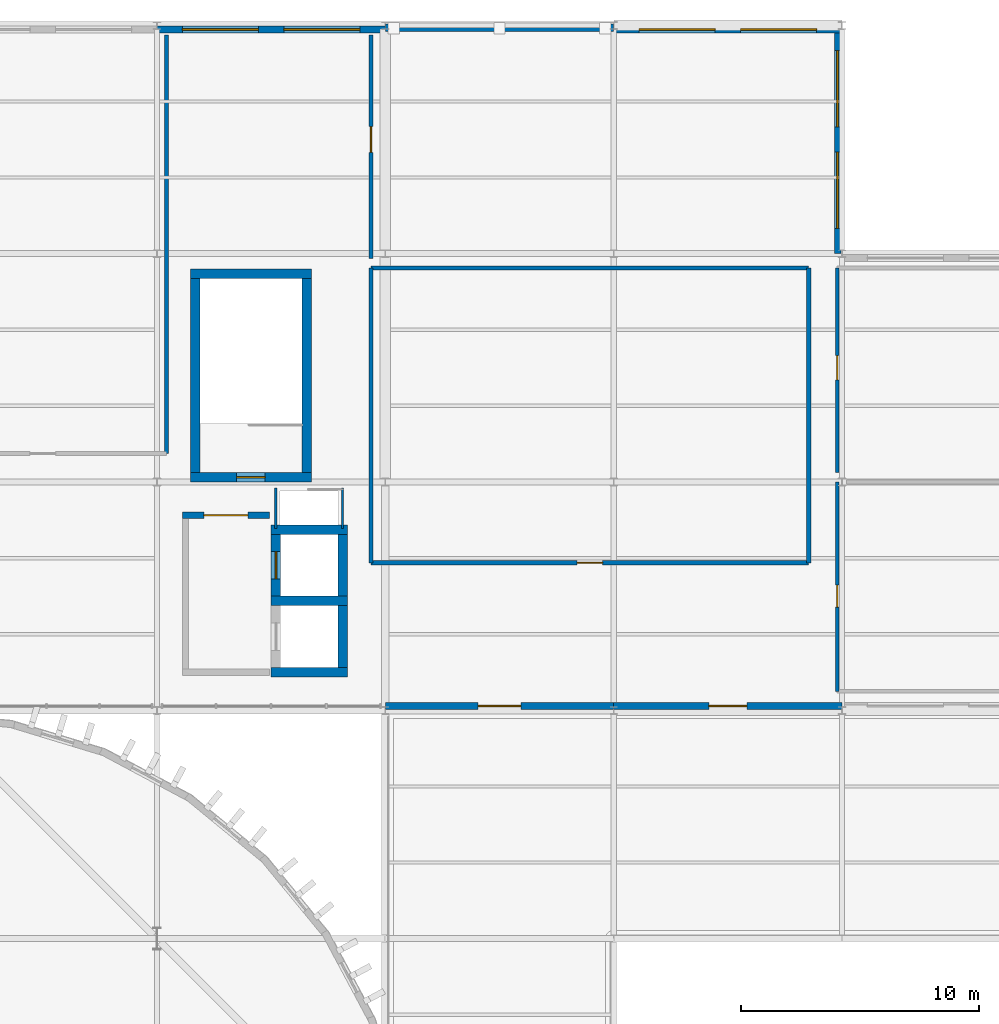
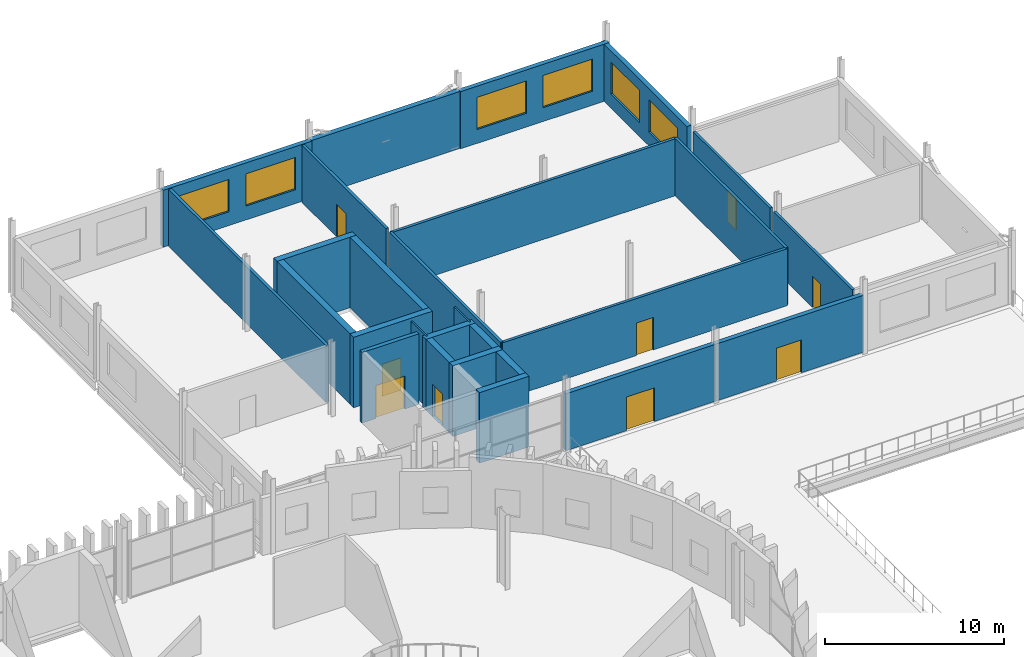
# One storey, part 36 of 45: 27 walls, 9 doors, 6 windows, 15 openings.
"""IFC4 building model written with IfcOpenShell, lengths in metres."""

from ifc_helpers import new_model, si_unit, direction, frame, frame_2d, origin, place, context, subcontext, project, spatial, rectangle, extrude, material, layer, layer_set, type_object, element, fill, save


model = new_model("IFC4")

# Units and contexts
model_context = context("Model", 3, precision=1e-05, world=origin(), true_north=direction((0.0, 1.0)))
body_context = subcontext(model_context, "Body", "Model", "MODEL_VIEW")
ifc_project = project(units=[si_unit("LENGTHUNIT", "METRE"), si_unit("AREAUNIT", "SQUARE_METRE"), si_unit("VOLUMEUNIT", "CUBIC_METRE"), si_unit("PLANEANGLEUNIT", "RADIAN"), si_unit("MASSUNIT", "GRAM", prefix="KILO")], contexts=[model_context])

# Site, building, storey
site_placement = place(None, origin())
site = spatial("IfcSite", under=ifc_project, at=site_placement, CompositionType="ELEMENT")
building_placement = place(site_placement, origin())
building = spatial("IfcBuilding", under=site, at=building_placement, Name="Caelomonte Colonnade Arena", CompositionType="ELEMENT")
storey_placement = place(building_placement, frame((0.0, 0.0, 23.10009765625)))
storey = spatial("IfcBuildingStorey", under=building, at=storey_placement, Name="L05", CompositionType="ELEMENT", Elevation=23.10009765625)

# Wall, openings, windows
ifc_material_1 = material(Name="Precast concrete C40/50", Category="concrete")
ifc_layer_1 = layer(ifc_material_1, 0.2900390625)
ifc_layer_set_1 = layer_set([ifc_layer_1], Name="Precast concrete C40/50")
wall_type_1 = type_object("IfcWallType", Name="ENV-WL-EXT29", PredefinedType="SOLIDWALL", material=ifc_layer_set_1)
wall_1_placement = place(storey_placement, frame((182.39990234375, 143.820068359375, 0.0), z_axis=(0.0, 0.0, 1.0), x_axis=(-1.0, 0.0, 0.0)))
wall_1 = element("IfcWall", 1, at=wall_1_placement, inside=storey, type_object=wall_type_1, Name="L05 exterior wall EW-L05-0332", PredefinedType="SOLIDWALL", context=body_context, shape_type="SweptSolid", body=[
    extrude(rectangle(XDim=9.599853515625, YDim=0.2900390625, at=frame_2d((4.7998046875, 0.0))), origin(), (0.0, 0.0, 1.0), 3.905517578125),
])
opening_1_placement = place(wall_1_placement, frame((4.2666015625, 0.0, 0.949951171875), z_axis=(0.0, 0.0, 1.0), x_axis=(-1.0, 0.0, 0.0)))
opening_1 = element("IfcOpeningElement", 2, at=opening_1_placement, cuts=wall_1, Name="Opening WN-15", PredefinedType="OPENING", context=body_context, shape_type="SweptSolid", body=[
    extrude(rectangle(XDim=3.199951171875, YDim=2.199951171875, at=frame_2d((1.60009765625, 1.10009765625))), frame((0.0, 0.155029296875, 0.0), z_axis=(0.0, -1.0, 0.0), x_axis=(1.0, 0.0, 0.0)), (0.0, 0.0, 1.0), 0.31005859375),
])
opening_2_placement = place(wall_1_placement, frame((8.533203125, 0.0, 0.949951171875), z_axis=(0.0, 0.0, 1.0), x_axis=(-1.0, 0.0, 0.0)))
opening_2 = element("IfcOpeningElement", 3, at=opening_2_placement, cuts=wall_1, Name="Opening WN-15", PredefinedType="OPENING", context=body_context, shape_type="SweptSolid", body=[
    extrude(rectangle(XDim=3.199951171875, YDim=2.199951171875, at=frame_2d((1.60009765625, 1.10009765625))), frame((0.0, 0.155029296875, 0.0), z_axis=(0.0, -1.0, 0.0), x_axis=(1.0, 0.0, 0.0)), (0.0, 0.0, 1.0), 0.31005859375),
])
ifc_material_2 = material(Name="Solar-control bronze low-E double glazing", Category="glass")
window_type = type_object("IfcWindowType", Name="ENV-WN-MED", PartitioningType="TRIPLE_PANEL_VERTICAL", PredefinedType="WINDOW", material=ifc_material_2)
window_1_placement = place(opening_1_placement, origin())
window_1 = element("IfcWindow", 4, at=window_1_placement, inside=storey, type_object=window_type, Name="L05 facade window 287", OverallHeight=2.199951171875, OverallWidth=3.199951171875, PartitioningType="SINGLE_PANEL", PredefinedType="WINDOW", context=body_context, shape_type="SweptSolid", body=[
    extrude(rectangle(XDim=3.199951171875, YDim=2.199951171875, at=frame_2d((1.60009765625, 1.10009765625))), frame((0.0, 0.030029296875, 0.0), z_axis=(0.0, -1.0, 0.0), x_axis=(1.0, 0.0, 0.0)), (0.0, 0.0, 1.0), 0.06005859375),
])
fill(opening_1, window_1)
window_2_placement = place(opening_2_placement, origin())
window_2 = element("IfcWindow", 5, at=window_2_placement, inside=storey, type_object=window_type, Name="L05 facade window 288", OverallHeight=2.199951171875, OverallWidth=3.199951171875, PartitioningType="SINGLE_PANEL", PredefinedType="WINDOW", context=body_context, shape_type="SweptSolid", body=[
    extrude(rectangle(XDim=3.199951171875, YDim=2.199951171875, at=frame_2d((1.60009765625, 1.10009765625))), frame((0.0, 0.030029296875, 0.0), z_axis=(0.0, -1.0, 0.0), x_axis=(1.0, 0.0, 0.0)), (0.0, 0.0, 1.0), 0.06005859375),
])
fill(opening_2, window_2)

wall_2_placement = place(storey_placement, frame((163.199951171875, 143.820068359375, 0.0), z_axis=(0.0, 0.0, 1.0), x_axis=(-1.0, 0.0, 0.0)))
wall_2 = element("IfcWall", 6, at=wall_2_placement, inside=storey, type_object=wall_type_1, Name="L05 exterior wall EW-L05-0334", PredefinedType="SOLIDWALL", context=body_context, shape_type="SweptSolid", body=[
    extrude(rectangle(XDim=9.599853515625, YDim=0.2900390625, at=frame_2d((4.7998046875, 0.0))), origin(), (0.0, 0.0, 1.0), 3.892822265625),
])
opening_3_placement = place(wall_2_placement, frame((4.2666015625, 0.0, 0.949951171875), z_axis=(0.0, 0.0, 1.0), x_axis=(-1.0, 0.0, 0.0)))
opening_3 = element("IfcOpeningElement", 7, at=opening_3_placement, cuts=wall_2, Name="Opening WN-15", PredefinedType="OPENING", context=body_context, shape_type="SweptSolid", body=[
    extrude(rectangle(XDim=3.199951171875, YDim=2.199951171875, at=frame_2d((1.60009765625, 1.10009765625))), frame((0.0, 0.155029296875, 0.0), z_axis=(0.0, -1.0, 0.0), x_axis=(1.0, 0.0, 0.0)), (0.0, 0.0, 1.0), 0.31005859375),
])
opening_4_placement = place(wall_2_placement, frame((8.533203125, 0.0, 0.949951171875), z_axis=(0.0, 0.0, 1.0), x_axis=(-1.0, 0.0, 0.0)))
opening_4 = element("IfcOpeningElement", 8, at=opening_4_placement, cuts=wall_2, Name="Opening WN-15", PredefinedType="OPENING", context=body_context, shape_type="SweptSolid", body=[
    extrude(rectangle(XDim=3.199951171875, YDim=2.199951171875, at=frame_2d((1.60009765625, 1.10009765625))), frame((0.0, 0.155029296875, 0.0), z_axis=(0.0, -1.0, 0.0), x_axis=(1.0, 0.0, 0.0)), (0.0, 0.0, 1.0), 0.31005859375),
])
window_3_placement = place(opening_3_placement, origin())
window_3 = element("IfcWindow", 9, at=window_3_placement, inside=storey, type_object=window_type, Name="L05 facade window 289", OverallHeight=2.199951171875, OverallWidth=3.199951171875, PartitioningType="SINGLE_PANEL", PredefinedType="WINDOW", context=body_context, shape_type="SweptSolid", body=[
    extrude(rectangle(XDim=3.199951171875, YDim=2.199951171875, at=frame_2d((1.60009765625, 1.10009765625))), frame((0.0, 0.030029296875, 0.0), z_axis=(0.0, -1.0, 0.0), x_axis=(1.0, 0.0, 0.0)), (0.0, 0.0, 1.0), 0.06005859375),
])
fill(opening_3, window_3)
window_4_placement = place(opening_4_placement, origin())
window_4 = element("IfcWindow", 10, at=window_4_placement, inside=storey, type_object=window_type, Name="L05 facade window 290", OverallHeight=2.199951171875, OverallWidth=3.199951171875, PartitioningType="SINGLE_PANEL", PredefinedType="WINDOW", context=body_context, shape_type="SweptSolid", body=[
    extrude(rectangle(XDim=3.199951171875, YDim=2.199951171875, at=frame_2d((1.60009765625, 1.10009765625))), frame((0.0, 0.030029296875, 0.0), z_axis=(0.0, -1.0, 0.0), x_axis=(1.0, 0.0, 0.0)), (0.0, 0.0, 1.0), 0.06005859375),
])
fill(opening_4, window_4)

# Wall, opening, door
wall_3_placement = place(storey_placement, frame((163.199951171875, 115.3798828125, 0.0), z_axis=(0.0, 0.0, 1.0), x_axis=(1.0, 0.0, 0.0)))
wall_3 = element("IfcWall", 11, at=wall_3_placement, inside=storey, type_object=wall_type_1, Name="L05 exterior wall EW-L05-0339", PredefinedType="SOLIDWALL", context=body_context, shape_type="SweptSolid", body=[
    extrude(rectangle(XDim=9.60009765625, YDim=0.2900390625, at=frame_2d((4.800048828125, 0.0))), origin(), (0.0, 0.0, 1.0), 3.892822265625),
])
opening_5_placement = place(wall_3_placement, frame((5.699951171875, 0.0, 0.0), z_axis=(0.0, 0.0, 1.0), x_axis=(-1.0, 0.0, 0.0)))
opening_5 = element("IfcOpeningElement", 12, at=opening_5_placement, cuts=wall_3, Name="Opening DT-L05-13", PredefinedType="OPENING", context=body_context, shape_type="SweptSolid", body=[
    extrude(rectangle(XDim=1.800048828125, YDim=2.300048828125, at=frame_2d((0.89990234375, 1.14990234375))), frame((0.0, 0.155029296875, 0.0), z_axis=(0.0, -1.0, 0.0), x_axis=(1.0, 0.0, 0.0)), (0.0, 0.0, 1.0), 0.31005859375),
])
ifc_material_3 = material(Name="Bronze anodised aluminium glazed terrace door", Category="aluminium")
door_type_1 = type_object("IfcDoorType", Name="ENV-DR-TR1", OperationType="DOUBLE_DOOR_SINGLE_SWING", PredefinedType="DOOR", material=ifc_material_3)
door_1_placement = place(opening_5_placement, origin())
door_1 = element("IfcDoor", 13, at=door_1_placement, inside=storey, type_object=door_type_1, Name="L05 Media Sky Courtyard Terrace door DT-L05-13", OperationType="DOUBLE_DOOR_SINGLE_SWING", OverallHeight=2.300048828125, OverallWidth=1.800048828125, PredefinedType="DOOR", context=body_context, shape_type="SweptSolid", body=[
    extrude(rectangle(XDim=1.800048828125, YDim=2.300048828125, at=frame_2d((0.89990234375, 1.14990234375))), frame((0.0, 0.02490234375, 0.0), z_axis=(0.0, -1.0, 0.0), x_axis=(1.0, 0.0, 0.0)), (0.0, 0.0, 1.0), 0.050048828125),
])
fill(opening_5, door_1)

wall_4_placement = place(storey_placement, frame((172.800048828125, 115.3798828125, 0.0), z_axis=(0.0, 0.0, 1.0), x_axis=(1.0, 0.0, 0.0)))
wall_4 = element("IfcWall", 14, at=wall_4_placement, inside=storey, type_object=wall_type_1, Name="L05 exterior wall EW-L05-0340", PredefinedType="SOLIDWALL", context=body_context, shape_type="SweptSolid", body=[
    extrude(rectangle(XDim=9.599853515625, YDim=0.2900390625, at=frame_2d((4.7998046875, 0.0))), origin(), (0.0, 0.0, 1.0), 3.892822265625),
])
opening_6_placement = place(wall_4_placement, frame((5.60009765625, 0.0, 0.0), z_axis=(0.0, 0.0, 1.0), x_axis=(-1.0, 0.0, 0.0)))
opening_6 = element("IfcOpeningElement", 15, at=opening_6_placement, cuts=wall_4, Name="Opening DT-L05-14", PredefinedType="OPENING", context=body_context, shape_type="SweptSolid", body=[
    extrude(rectangle(XDim=1.60009765625, YDim=2.25, at=frame_2d((0.800048828125, 1.125))), frame((0.0, 0.155029296875, 0.0), z_axis=(0.0, -1.0, 0.0), x_axis=(1.0, 0.0, 0.0)), (0.0, 0.0, 1.0), 0.31005859375),
])
door_type_2 = type_object("IfcDoorType", Name="ENV-DR-TR2", OperationType="DOUBLE_DOOR_SINGLE_SWING", PredefinedType="DOOR", material=ifc_material_3)
door_2_placement = place(opening_6_placement, origin())
door_2 = element("IfcDoor", 16, at=door_2_placement, inside=storey, type_object=door_type_2, Name="L05 Media Sky Courtyard Terrace door DT-L05-14", OperationType="DOUBLE_DOOR_SINGLE_SWING", OverallHeight=2.25, OverallWidth=1.60009765625, PredefinedType="DOOR", context=body_context, shape_type="SweptSolid", body=[
    extrude(rectangle(XDim=1.60009765625, YDim=2.25, at=frame_2d((0.800048828125, 1.125))), frame((0.0, 0.02490234375, 0.0), z_axis=(0.0, -1.0, 0.0), x_axis=(1.0, 0.0, 0.0)), (0.0, 0.0, 1.0), 0.050048828125),
])
fill(opening_6, door_2)

# Wall, openings, windows
wall_5_placement = place(storey_placement, frame((182.219970703125, 134.39990234375, 0.0), z_axis=(0.0, 0.0, 1.0), x_axis=(0.0, 1.0, 0.0)))
wall_5 = element("IfcWall", 17, at=wall_5_placement, inside=storey, type_object=wall_type_1, Name="L05 exterior wall EW-L05-0345", PredefinedType="SOLIDWALL", context=body_context, shape_type="SweptSolid", body=[
    extrude(rectangle(XDim=9.60009765625, YDim=0.2900390625, at=frame_2d((4.800048828125, 0.0))), origin(), (0.0, 0.0, 1.0), 3.905517578125),
])
opening_7_placement = place(wall_5_placement, frame((4.2666015625, 0.0, 0.949951171875), z_axis=(0.0, 0.0, 1.0), x_axis=(-1.0, 0.0, 0.0)))
opening_7 = element("IfcOpeningElement", 18, at=opening_7_placement, cuts=wall_5, Name="Opening WN-15", PredefinedType="OPENING", context=body_context, shape_type="SweptSolid", body=[
    extrude(rectangle(XDim=3.199951171875, YDim=2.199951171875, at=frame_2d((1.60009765625, 1.10009765625))), frame((0.0, 0.155029296875, 0.0), z_axis=(0.0, -1.0, 0.0), x_axis=(1.0, 0.0, 0.0)), (0.0, 0.0, 1.0), 0.31005859375),
])
opening_8_placement = place(wall_5_placement, frame((8.533203125, 0.0, 0.949951171875), z_axis=(0.0, 0.0, 1.0), x_axis=(-1.0, 0.0, 0.0)))
opening_8 = element("IfcOpeningElement", 19, at=opening_8_placement, cuts=wall_5, Name="Opening WN-15", PredefinedType="OPENING", context=body_context, shape_type="SweptSolid", body=[
    extrude(rectangle(XDim=3.199951171875, YDim=2.199951171875, at=frame_2d((1.60009765625, 1.10009765625))), frame((0.0, 0.155029296875, 0.0), z_axis=(0.0, -1.0, 0.0), x_axis=(1.0, 0.0, 0.0)), (0.0, 0.0, 1.0), 0.31005859375),
])
window_5_placement = place(opening_7_placement, origin())
window_5 = element("IfcWindow", 20, at=window_5_placement, inside=storey, type_object=window_type, Name="L05 facade window 304", OverallHeight=2.199951171875, OverallWidth=3.199951171875, PartitioningType="SINGLE_PANEL", PredefinedType="WINDOW", context=body_context, shape_type="SweptSolid", body=[
    extrude(rectangle(XDim=3.199951171875, YDim=2.199951171875, at=frame_2d((1.60009765625, 1.10009765625))), frame((0.0, 0.030029296875, 0.0), z_axis=(0.0, -1.0, 0.0), x_axis=(1.0, 0.0, 0.0)), (0.0, 0.0, 1.0), 0.06005859375),
])
fill(opening_7, window_5)
window_6_placement = place(opening_8_placement, origin())
window_6 = element("IfcWindow", 21, at=window_6_placement, inside=storey, type_object=window_type, Name="L05 facade window 305", OverallHeight=2.199951171875, OverallWidth=3.199951171875, PartitioningType="SINGLE_PANEL", PredefinedType="WINDOW", context=body_context, shape_type="SweptSolid", body=[
    extrude(rectangle(XDim=3.199951171875, YDim=2.199951171875, at=frame_2d((1.60009765625, 1.10009765625))), frame((0.0, 0.030029296875, 0.0), z_axis=(0.0, -1.0, 0.0), x_axis=(1.0, 0.0, 0.0)), (0.0, 0.0, 1.0), 0.06005859375),
])
fill(opening_8, window_6)

# Wall
ifc_layer_2 = layer(ifc_material_1, 0.330078125)
ifc_layer_set_2 = layer_set([ifc_layer_2], Name="Precast concrete C40/50")
wall_type_2 = type_object("IfcWallType", Name="ENV-WL-EXT33", PredefinedType="SOLIDWALL", material=ifc_layer_set_2)
wall_6_placement = place(storey_placement, frame((172.800048828125, 143.89990234375, 0.0), z_axis=(0.0, 0.0, 1.0), x_axis=(-1.0, 0.0, 0.0)))
element("IfcWall", 22, at=wall_6_placement, inside=storey, type_object=wall_type_2, Name="L05 exterior wall EW-L05-0333", PredefinedType="SOLIDWALL", context=body_context, shape_type="SweptSolid", body=[
    extrude(rectangle(XDim=9.60009765625, YDim=0.330078125, at=frame_2d((4.800048828125, 0.0))), origin(), (0.0, 0.0, 1.0), 3.892822265625),
])

# Wall, opening, door
ifc_material_4 = material(Name="Concrete C40/50", Category="concrete")
ifc_layer_3 = layer(ifc_material_4, 0.260009765625)
ifc_layer_set_3 = layer_set([ifc_layer_3], Name="Concrete C40/50")
wall_type_3 = type_object("IfcWallType", Name="INT-WL-FW26", PredefinedType="SOLIDWALL", material=ifc_layer_set_3)
wall_7_placement = place(storey_placement, frame((158.330078125, 123.39990234375, 0.0), z_axis=(0.0, 0.0, 1.0), x_axis=(-1.0, 0.0, 0.0)))
wall_7 = element("IfcWall", 23, at=wall_7_placement, inside=storey, type_object=wall_type_3, Name="FW-C6-LB L05 north enclosure wall", PredefinedType="SOLIDWALL", context=body_context, shape_type="SweptSolid", body=[
    extrude(rectangle(XDim=3.66015625, YDim=0.260009765625, at=frame_2d((1.830078125, 0.0))), origin(), (0.0, 0.0, 1.0), 4.81982421875),
])
opening_9_placement = place(wall_7_placement, frame((2.755126953125, 0.0, 0.0), z_axis=(0.0, 0.0, 1.0), x_axis=(-1.0, 0.0, 0.0)))
opening_9 = element("IfcOpeningElement", 24, at=opening_9_placement, cuts=wall_7, Name="Opening FD-2", PredefinedType="OPENING", context=body_context, shape_type="SweptSolid", body=[
    extrude(rectangle(XDim=1.85009765625, YDim=2.25, at=frame_2d((0.925048828125, 1.125))), frame((0.0, 0.139892578125, 0.0), z_axis=(0.0, -1.0, 0.0), x_axis=(1.0, 0.0, 0.0)), (0.0, 0.0, 1.0), 0.280029296875),
])
ifc_material_5 = material(Name="Fire-rated double steel door", Category="steel")
door_type_3 = type_object("IfcDoorType", Name="INT-DR-FD90B", OperationType="DOUBLE_DOOR_SINGLE_SWING", PredefinedType="DOOR", material=ifc_material_5)
door_3_placement = place(opening_9_placement, origin())
door_3 = element("IfcDoor", 25, at=door_3_placement, inside=storey, type_object=door_type_3, Name="Core C6 L05 lobby fire door", OperationType="DOUBLE_DOOR_SINGLE_SWING", OverallHeight=2.25, OverallWidth=1.85009765625, PredefinedType="DOOR", context=body_context, shape_type="SweptSolid", body=[
    extrude(rectangle(XDim=1.85009765625, YDim=2.25, at=frame_2d((0.925048828125, 1.125))), frame((0.0, 0.02490234375, 0.0), z_axis=(0.0, -1.0, 0.0), x_axis=(1.0, 0.0, 0.0)), (0.0, 0.0, 1.0), 0.050048828125),
])
fill(opening_9, door_3)

# Walls
ifc_material_6 = material(Name="Service shaft lining partition")
ifc_layer_4 = layer(ifc_material_6, 0.10009765625)
ifc_layer_set_4 = layer_set([ifc_layer_4], Name="Service shaft lining partition")
wall_type_4 = type_object("IfcWallType", Name="INT-WL-PT10", PredefinedType="PARTITIONING", material=ifc_layer_set_4)
for number, where, z_axis, x_axis, name in (
    (26, (158.60009765625, 124.550048828125, 0.0), (0.0, 0.0, 1.0), (0.0, -1.0, 0.0), "FW-C6-RS L05 west enclosure wall"),
    (27, (161.39990234375, 122.85009765625, 0.0), (0.0, 0.0, 1.0), (0.0, 1.0, 0.0), "FW-C6-RS L05 east enclosure wall"),
):
    element("IfcWall", number, at=place(storey_placement, frame(where, z_axis=z_axis, x_axis=x_axis)), inside=storey, type_object=wall_type_4, Name=name, PredefinedType="PARTITIONING", context=body_context, shape_type="SweptSolid", body=[
        extrude(rectangle(XDim=1.699951171875, YDim=0.10009765625, at=frame_2d((0.85009765625, 0.0))), origin(), (0.0, 0.0, 1.0), 4.81982421875),
    ])

# Wall, opening, door
ifc_material_7 = material(Name="Moisture-resistant WC partition")
ifc_layer_5 = layer(ifc_material_7, 0.159912109375)
ifc_layer_set_5 = layer_set([ifc_layer_5], Name="Moisture-resistant WC partition")
wall_type_5 = type_object("IfcWallType", Name="INT-WL-PT16", PredefinedType="PARTITIONING", material=ifc_layer_set_5)
wall_8_placement = place(storey_placement, frame((182.199951171875, 116.0, 0.0), z_axis=(0.0, 0.0, 1.0), x_axis=(0.0, 1.0, 0.0)))
wall_8 = element("IfcWall", 28, at=wall_8_placement, inside=storey, type_object=wall_type_5, Name="L05 Media Level Restroom partition 294", PredefinedType="PARTITIONING", context=body_context, shape_type="SweptSolid", body=[
    extrude(rectangle(XDim=8.800048828125, YDim=0.159912109375, at=frame_2d((4.39990234375, 0.0))), origin(), (0.0, 0.0, 1.0), 3.905517578125),
])
opening_10_placement = place(wall_8_placement, frame((3.5400390625, 0.0, 0.0), z_axis=(0.0, 0.0, 1.0), x_axis=(1.0, 0.0, 0.0)))
opening_10 = element("IfcOpeningElement", 29, at=opening_10_placement, cuts=wall_8, Name="Opening D-L05-076", PredefinedType="OPENING", context=body_context, shape_type="SweptSolid", body=[
    extrude(rectangle(XDim=0.919921875, YDim=2.1201171875, at=frame_2d((0.4599609375, 1.06005859375))), frame((0.0, 0.08984375, 0.0), z_axis=(0.0, -1.0, 0.0), x_axis=(1.0, 0.0, 0.0)), (0.0, 0.0, 1.0), 0.179931640625),
])
ifc_material_8 = material(Name="Laminate restroom entrance door")
door_type_4 = type_object("IfcDoorType", Name="INT-DR-WC1", OperationType="NOTDEFINED", PredefinedType="DOOR", material=ifc_material_8)
door_4_placement = place(opening_10_placement, origin())
door_4 = element("IfcDoor", 30, at=door_4_placement, inside=storey, type_object=door_type_4, Name="L05 Media Level Restroom door D-L05-076", OperationType="SINGLE_SWING_RIGHT", OverallHeight=2.1201171875, OverallWidth=0.919921875, PredefinedType="DOOR", context=body_context, shape_type="SweptSolid", body=[
    extrude(rectangle(XDim=0.919921875, YDim=2.1201171875, at=frame_2d((0.4599609375, 1.06005859375))), frame((0.0, 0.02490234375, 0.0), z_axis=(0.0, -1.0, 0.0), x_axis=(1.0, 0.0, 0.0)), (0.0, 0.0, 1.0), 0.050048828125),
])
fill(opening_10, door_4)

wall_9_placement = place(storey_placement, frame((182.199951171875, 125.199951171875, 0.0), z_axis=(0.0, 0.0, 1.0), x_axis=(0.0, 1.0, 0.0)))
wall_9 = element("IfcWall", 31, at=wall_9_placement, inside=storey, type_object=wall_type_5, Name="L05 Media Level Accessible WC partition 296", PredefinedType="PARTITIONING", context=body_context, shape_type="SweptSolid", body=[
    extrude(rectangle(XDim=8.60009765625, YDim=0.159912109375, at=frame_2d((4.300048828125, 0.0))), origin(), (0.0, 0.0, 1.0), 3.905517578125),
])
opening_11_placement = place(wall_9_placement, frame((3.889892578125, 0.0, 0.0), z_axis=(0.0, 0.0, 1.0), x_axis=(1.0, 0.0, 0.0)))
opening_11 = element("IfcOpeningElement", 32, at=opening_11_placement, cuts=wall_9, Name="Opening D-L05-077", PredefinedType="OPENING", context=body_context, shape_type="SweptSolid", body=[
    extrude(rectangle(XDim=1.02001953125, YDim=2.14990234375, at=frame_2d((0.510009765625, 1.074951171875))), frame((0.0, 0.08984375, 0.0), z_axis=(0.0, -1.0, 0.0), x_axis=(1.0, 0.0, 0.0)), (0.0, 0.0, 1.0), 0.179931640625),
])
ifc_material_9 = material(Name="Accessible WC outward-swing door")
door_type_5 = type_object("IfcDoorType", Name="INT-DR-AWC", OperationType="NOTDEFINED", PredefinedType="DOOR", material=ifc_material_9)
door_5_placement = place(opening_11_placement, origin())
door_5 = element("IfcDoor", 33, at=door_5_placement, inside=storey, type_object=door_type_5, Name="L05 Media Level Accessible WC door D-L05-077", OperationType="SINGLE_SWING_LEFT", OverallHeight=2.14990234375, OverallWidth=1.02001953125, PredefinedType="DOOR", context=body_context, shape_type="SweptSolid", body=[
    extrude(rectangle(XDim=1.02001953125, YDim=2.14990234375, at=frame_2d((0.510009765625, 1.074951171875))), frame((0.0, 0.02490234375, 0.0), z_axis=(0.0, -1.0, 0.0), x_axis=(1.0, 0.0, 0.0)), (0.0, 0.0, 1.0), 0.050048828125),
])
fill(opening_11, door_5)

# Walls
ifc_material_10 = material(Name="Acoustic gypsum stud partition")
ifc_layer_6 = layer(ifc_material_10, 0.179931640625)
ifc_layer_set_6 = layer_set([ifc_layer_6], Name="Acoustic gypsum stud partition")
wall_type_6 = type_object("IfcWallType", Name="INT-WL-PT18", PredefinedType="PARTITIONING", material=ifc_layer_set_6)
wall_10_placement = place(storey_placement, frame((154.0, 143.60009765625, 0.0), z_axis=(0.0, 0.0, 1.0), x_axis=(0.0, -1.0, 0.0)))
element("IfcWall", 34, at=wall_10_placement, inside=storey, type_object=wall_type_6, Name="L05 Broadcast Audio and Lighting Control partition 285", PredefinedType="PARTITIONING", context=body_context, shape_type="SweptSolid", body=[
    extrude(rectangle(XDim=17.60009765625, YDim=0.179931640625, at=frame_2d((8.800048828125, 0.0))), origin(), (0.0, 0.0, 1.0), 3.905517578125),
])
wall_11_placement = place(storey_placement, frame((162.60009765625, 133.800048828125, 0.0), z_axis=(0.0, 0.0, 1.0), x_axis=(1.0, 0.0, 0.0)))
element("IfcWall", 35, at=wall_11_placement, inside=storey, type_object=wall_type_6, Name="L05 Media Centre Workroom partition 287", PredefinedType="PARTITIONING", context=body_context, shape_type="SweptSolid", body=[
    extrude(rectangle(XDim=18.39990234375, YDim=0.179931640625, at=frame_2d((9.199951171875, 0.0))), origin(), (0.0, 0.0, 1.0), 3.892822265625),
])
wall_12_placement = place(storey_placement, frame((181.0, 133.800048828125, 0.0), z_axis=(0.0, 0.0, 1.0), x_axis=(0.0, -1.0, 0.0)))
element("IfcWall", 36, at=wall_12_placement, inside=storey, type_object=wall_type_6, Name="L05 Media Centre Workroom partition 288", PredefinedType="PARTITIONING", context=body_context, shape_type="SweptSolid", body=[
    extrude(rectangle(XDim=12.400146484375, YDim=0.179931640625, at=frame_2d((6.2001953125, 0.0))), origin(), (0.0, 0.0, 1.0), 3.905517578125),
])

# Wall, opening, door
wall_13_placement = place(storey_placement, frame((181.0, 121.39990234375, 0.0), z_axis=(0.0, 0.0, 1.0), x_axis=(-1.0, 0.0, 0.0)))
wall_13 = element("IfcWall", 37, at=wall_13_placement, inside=storey, type_object=wall_type_6, Name="L05 Media Centre Workroom partition 289", PredefinedType="PARTITIONING", context=body_context, shape_type="SweptSolid", body=[
    extrude(rectangle(XDim=18.39990234375, YDim=0.179931640625, at=frame_2d((9.199951171875, 0.0))), origin(), (0.0, 0.0, 1.0), 3.892822265625),
])
opening_12_placement = place(wall_13_placement, frame((8.659912109375, 0.0, 0.0), z_axis=(0.0, 0.0, 1.0), x_axis=(1.0, 0.0, 0.0)))
opening_12 = element("IfcOpeningElement", 38, at=opening_12_placement, cuts=wall_13, Name="Opening D-L05-074", PredefinedType="OPENING", context=body_context, shape_type="SweptSolid", body=[
    extrude(rectangle(XDim=1.080078125, YDim=2.219970703125, at=frame_2d((0.5400390625, 1.10986328125))), frame((0.0, 0.099853515625, 0.0), z_axis=(0.0, -1.0, 0.0), x_axis=(1.0, 0.0, 0.0)), (0.0, 0.0, 1.0), 0.199951171875),
])
ifc_material_11 = material(Name="Acoustic broadcast studio door")
door_type_6 = type_object("IfcDoorType", Name="INT-DR-MED", OperationType="NOTDEFINED", PredefinedType="DOOR", material=ifc_material_11)
door_6_placement = place(opening_12_placement, origin())
door_6 = element("IfcDoor", 39, at=door_6_placement, inside=storey, type_object=door_type_6, Name="L05 Media Centre Workroom door D-L05-074", OperationType="SINGLE_SWING_RIGHT", OverallHeight=2.219970703125, OverallWidth=1.080078125, PredefinedType="DOOR", context=body_context, shape_type="SweptSolid", body=[
    extrude(rectangle(XDim=1.080078125, YDim=2.219970703125, at=frame_2d((0.5400390625, 1.10986328125))), frame((0.0, 0.02490234375, 0.0), z_axis=(0.0, -1.0, 0.0), x_axis=(1.0, 0.0, 0.0)), (0.0, 0.0, 1.0), 0.050048828125),
])
fill(opening_12, door_6)

# Wall
wall_14_placement = place(storey_placement, frame((162.60009765625, 121.39990234375, 0.0), z_axis=(0.0, 0.0, 1.0), x_axis=(0.0, 1.0, 0.0)))
element("IfcWall", 40, at=wall_14_placement, inside=storey, type_object=wall_type_6, Name="L05 Media Centre Workroom partition 290", PredefinedType="PARTITIONING", context=body_context, shape_type="SweptSolid", body=[
    extrude(rectangle(XDim=12.400146484375, YDim=0.179931640625, at=frame_2d((6.2001953125, 0.0))), origin(), (0.0, 0.0, 1.0), 3.905517578125),
])

# Wall, opening, door
wall_15_placement = place(storey_placement, frame((162.60009765625, 134.199951171875, 0.0), z_axis=(0.0, 0.0, 1.0), x_axis=(0.0, 1.0, 0.0)))
wall_15 = element("IfcWall", 41, at=wall_15_placement, inside=storey, type_object=wall_type_6, Name="L05 Television Broadcast Studio partition 291", PredefinedType="PARTITIONING", context=body_context, shape_type="SweptSolid", body=[
    extrude(rectangle(XDim=9.400146484375, YDim=0.179931640625, at=frame_2d((4.7001953125, 0.0))), origin(), (0.0, 0.0, 1.0), 3.905517578125),
])
opening_13_placement = place(wall_15_placement, frame((4.4599609375, 0.0, 0.0), z_axis=(0.0, 0.0, 1.0), x_axis=(1.0, 0.0, 0.0)))
opening_13 = element("IfcOpeningElement", 42, at=opening_13_placement, cuts=wall_15, Name="Opening D-L05-075", PredefinedType="OPENING", context=body_context, shape_type="SweptSolid", body=[
    extrude(rectangle(XDim=1.080078125, YDim=2.219970703125, at=frame_2d((0.5400390625, 1.10986328125))), frame((0.0, 0.099853515625, 0.0), z_axis=(0.0, -1.0, 0.0), x_axis=(1.0, 0.0, 0.0)), (0.0, 0.0, 1.0), 0.199951171875),
])
door_7_placement = place(opening_13_placement, origin())
door_7 = element("IfcDoor", 43, at=door_7_placement, inside=storey, type_object=door_type_6, Name="L05 Television Broadcast Studio door D-L05-075", OperationType="SINGLE_SWING_LEFT", OverallHeight=2.219970703125, OverallWidth=1.080078125, PredefinedType="DOOR", context=body_context, shape_type="SweptSolid", body=[
    extrude(rectangle(XDim=1.080078125, YDim=2.219970703125, at=frame_2d((0.5400390625, 1.10986328125))), frame((0.0, 0.02490234375, 0.0), z_axis=(0.0, -1.0, 0.0), x_axis=(1.0, 0.0, 0.0)), (0.0, 0.0, 1.0), 0.050048828125),
])
fill(opening_13, door_7)

ifc_material_12 = material(Name="Concrete C50/60", Category="concrete")
ifc_layer_7 = layer(ifc_material_12, 0.39990234375)
ifc_layer_set_7 = layer_set([ifc_layer_7], Name="Concrete C50/60")
wall_type_7 = type_object("IfcWallType", Name="INT-WL-SH40", PredefinedType="SHEAR", material=ifc_layer_set_7)
wall_16_placement = place(storey_placement, frame((155.0, 125.0, 0.0), z_axis=(0.0, 0.0, 1.0), x_axis=(1.0, 0.0, 0.0)))
wall_16 = element("IfcWall", 44, at=wall_16_placement, inside=storey, type_object=wall_type_7, Name="CW-C6-ST L05 south enclosure wall", PredefinedType="SHEAR", context=body_context, shape_type="SweptSolid", body=[
    extrude(rectangle(XDim=5.10009765625, YDim=0.39990234375, at=frame_2d((2.550048828125, 0.0))), origin(), (0.0, 0.0, 1.0), 4.81982421875),
])
opening_14_placement = place(wall_16_placement, frame((3.14990234375, 0.0, 0.0), z_axis=(0.0, 0.0, 1.0), x_axis=(-1.0, 0.0, 0.0)))
opening_14 = element("IfcOpeningElement", 45, at=opening_14_placement, cuts=wall_16, Name="Opening FD-1", PredefinedType="OPENING", context=body_context, shape_type="SweptSolid", body=[
    extrude(rectangle(XDim=1.199951171875, YDim=2.199951171875, at=frame_2d((0.60009765625, 1.10009765625))), frame((0.0, 0.2099609375, 0.0), z_axis=(0.0, -1.0, 0.0), x_axis=(1.0, 0.0, 0.0)), (0.0, 0.0, 1.0), 0.419921875),
])
ifc_material_13 = material(Name="Fire-rated steel door", Category="steel")
door_type_7 = type_object("IfcDoorType", Name="INT-DR-FD90A", OperationType="NOTDEFINED", PredefinedType="DOOR", material=ifc_material_13)
door_8_placement = place(opening_14_placement, origin())
door_8 = element("IfcDoor", 46, at=door_8_placement, inside=storey, type_object=door_type_7, Name="Core C6 L05 exit stair fire door", OperationType="SINGLE_SWING_RIGHT", OverallHeight=2.199951171875, OverallWidth=1.199951171875, PredefinedType="DOOR", context=body_context, shape_type="SweptSolid", body=[
    extrude(rectangle(XDim=1.199951171875, YDim=2.199951171875, at=frame_2d((0.60009765625, 1.10009765625))), frame((0.0, 0.02490234375, 0.0), z_axis=(0.0, -1.0, 0.0), x_axis=(1.0, 0.0, 0.0)), (0.0, 0.0, 1.0), 0.050048828125),
])
fill(opening_14, door_8)

# Walls
wall_17_placement = place(storey_placement, frame((160.10009765625, 133.550048828125, 0.0), z_axis=(0.0, 0.0, 1.0), x_axis=(-1.0, 0.0, 0.0)))
element("IfcWall", 47, at=wall_17_placement, inside=storey, type_object=wall_type_7, Name="CW-C6-ST L05 north enclosure wall", PredefinedType="SHEAR", context=body_context, shape_type="SweptSolid", body=[
    extrude(rectangle(XDim=5.10009765625, YDim=0.39990234375, at=frame_2d((2.550048828125, 0.0))), origin(), (0.0, 0.0, 1.0), 4.81982421875),
])
for number, where, z_axis, x_axis, name in (
    (48, (155.199951171875, 133.35009765625, 0.0), (0.0, 0.0, 1.0), (0.0, -1.0, 0.0), "CW-C6-ST L05 west enclosure wall"),
    (49, (159.89990234375, 125.199951171875, 0.0), (0.0, 0.0, 1.0), (0.0, 1.0, 0.0), "CW-C6-ST L05 east enclosure wall"),
):
    element("IfcWall", number, at=place(storey_placement, frame(where, z_axis=z_axis, x_axis=x_axis)), inside=storey, type_object=wall_type_7, Name=name, PredefinedType="SHEAR", context=body_context, shape_type="SweptSolid", body=[
        extrude(rectangle(XDim=8.150146484375, YDim=0.39990234375, at=frame_2d((4.0751953125, 0.0))), origin(), (0.0, 0.0, 1.0), 4.81982421875),
    ])
for number, where, z_axis, x_axis, name in (
    (50, (158.39990234375, 116.800048828125, 0.0), (0.0, 0.0, 1.0), (1.0, 0.0, 0.0), "CW-C6-LF L05 south enclosure wall"),
    (51, (161.60009765625, 119.800048828125, 0.0), (0.0, 0.0, 1.0), (-1.0, 0.0, 0.0), "CW-C6-LF L05 north enclosure wall"),
):
    element("IfcWall", number, at=place(storey_placement, frame(where, z_axis=z_axis, x_axis=x_axis)), inside=storey, type_object=wall_type_7, Name=name, PredefinedType="SHEAR", context=body_context, shape_type="SweptSolid", body=[
        extrude(rectangle(XDim=3.2001953125, YDim=0.39990234375, at=frame_2d((1.60009765625, 0.0))), origin(), (0.0, 0.0, 1.0), 4.81982421875),
    ])
wall_18_placement = place(storey_placement, frame((161.39990234375, 117.0, 0.0), z_axis=(0.0, 0.0, 1.0), x_axis=(0.0, 1.0, 0.0)))
element("IfcWall", 52, at=wall_18_placement, inside=storey, type_object=wall_type_7, Name="CW-C6-LF L05 east enclosure wall", PredefinedType="SHEAR", context=body_context, shape_type="SweptSolid", body=[
    extrude(rectangle(XDim=2.60009765625, YDim=0.39990234375, at=frame_2d((1.300048828125, 0.0))), origin(), (0.0, 0.0, 1.0), 4.81982421875),
])
wall_19_placement = place(storey_placement, frame((161.60009765625, 122.800048828125, 0.0), z_axis=(0.0, 0.0, 1.0), x_axis=(-1.0, 0.0, 0.0)))
element("IfcWall", 53, at=wall_19_placement, inside=storey, type_object=wall_type_7, Name="CW-C6-LF2 L05 north enclosure wall", PredefinedType="SHEAR", context=body_context, shape_type="SweptSolid", body=[
    extrude(rectangle(XDim=3.2001953125, YDim=0.39990234375, at=frame_2d((1.60009765625, 0.0))), origin(), (0.0, 0.0, 1.0), 4.81982421875),
])

# Wall, opening, door
wall_20_placement = place(storey_placement, frame((158.60009765625, 122.60009765625, 0.0), z_axis=(0.0, 0.0, 1.0), x_axis=(0.0, -1.0, 0.0)))
wall_20 = element("IfcWall", 54, at=wall_20_placement, inside=storey, type_object=wall_type_7, Name="CW-C6-LF2 L05 west enclosure wall", PredefinedType="SHEAR", context=body_context, shape_type="SweptSolid", body=[
    extrude(rectangle(XDim=2.60009765625, YDim=0.39990234375, at=frame_2d((1.300048828125, 0.0))), origin(), (0.0, 0.0, 1.0), 4.81982421875),
])
opening_15_placement = place(wall_20_placement, frame((0.72509765625, 0.0, 0.0), z_axis=(0.0, 0.0, 1.0), x_axis=(1.0, 0.0, 0.0)))
opening_15 = element("IfcOpeningElement", 55, at=opening_15_placement, cuts=wall_20, Name="Opening LD-LF-04-L05", PredefinedType="OPENING", context=body_context, shape_type="SweptSolid", body=[
    extrude(rectangle(XDim=1.14990234375, YDim=2.199951171875, at=frame_2d((0.574951171875, 1.10009765625))), frame((0.0, 0.2099609375, 0.0), z_axis=(0.0, -1.0, 0.0), x_axis=(1.0, 0.0, 0.0)), (0.0, 0.0, 1.0), 0.419921875),
])
ifc_material_14 = material(Name="Stainless steel lift landing door", Category="steel")
door_type_8 = type_object("IfcDoorType", Name="INT-DR-LD1", OperationType="SLIDING_TO_LEFT", PredefinedType="DOOR", material=ifc_material_14)
door_9_placement = place(opening_15_placement, origin())
door_9 = element("IfcDoor", 56, at=door_9_placement, inside=storey, type_object=door_type_8, Name="Lift LF-04 L05 sliding landing door", OperationType="SLIDING_TO_LEFT", OverallHeight=2.199951171875, OverallWidth=1.14990234375, PredefinedType="DOOR", context=body_context, shape_type="SweptSolid", body=[
    extrude(rectangle(XDim=1.14990234375, YDim=2.199951171875, at=frame_2d((0.574951171875, 1.10009765625))), frame((0.0, 0.02490234375, 0.0), z_axis=(0.0, -1.0, 0.0), x_axis=(1.0, 0.0, 0.0)), (0.0, 0.0, 1.0), 0.050048828125),
])
fill(opening_15, door_9)

# Wall
wall_21_placement = place(storey_placement, frame((161.39990234375, 120.0, 0.0), z_axis=(0.0, 0.0, 1.0), x_axis=(0.0, 1.0, 0.0)))
element("IfcWall", 57, at=wall_21_placement, inside=storey, type_object=wall_type_7, Name="CW-C6-LF2 L05 east enclosure wall", PredefinedType="SHEAR", context=body_context, shape_type="SweptSolid", body=[
    extrude(rectangle(XDim=2.60009765625, YDim=0.39990234375, at=frame_2d((1.300048828125, 0.0))), origin(), (0.0, 0.0, 1.0), 4.81982421875),
])

save(model, "model.ifc")
